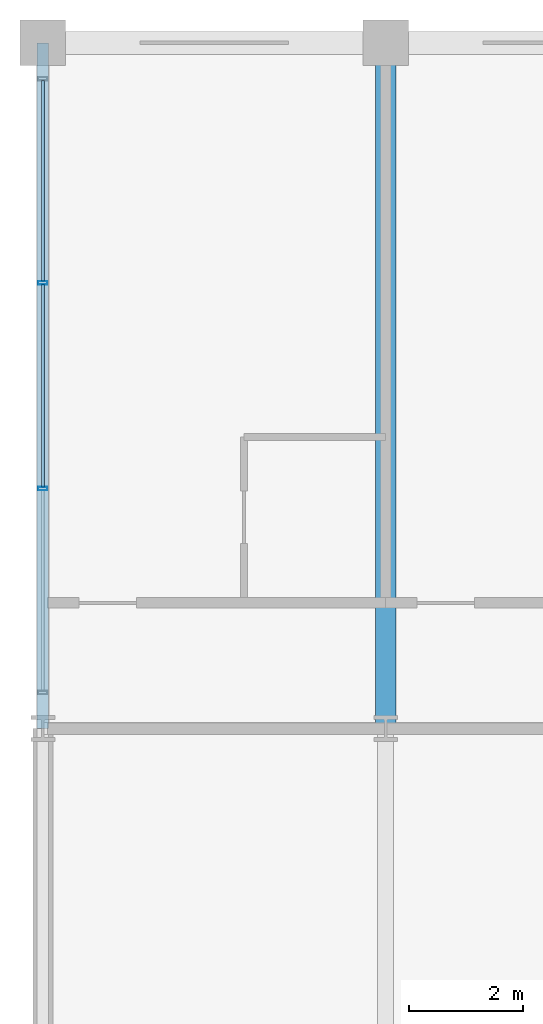
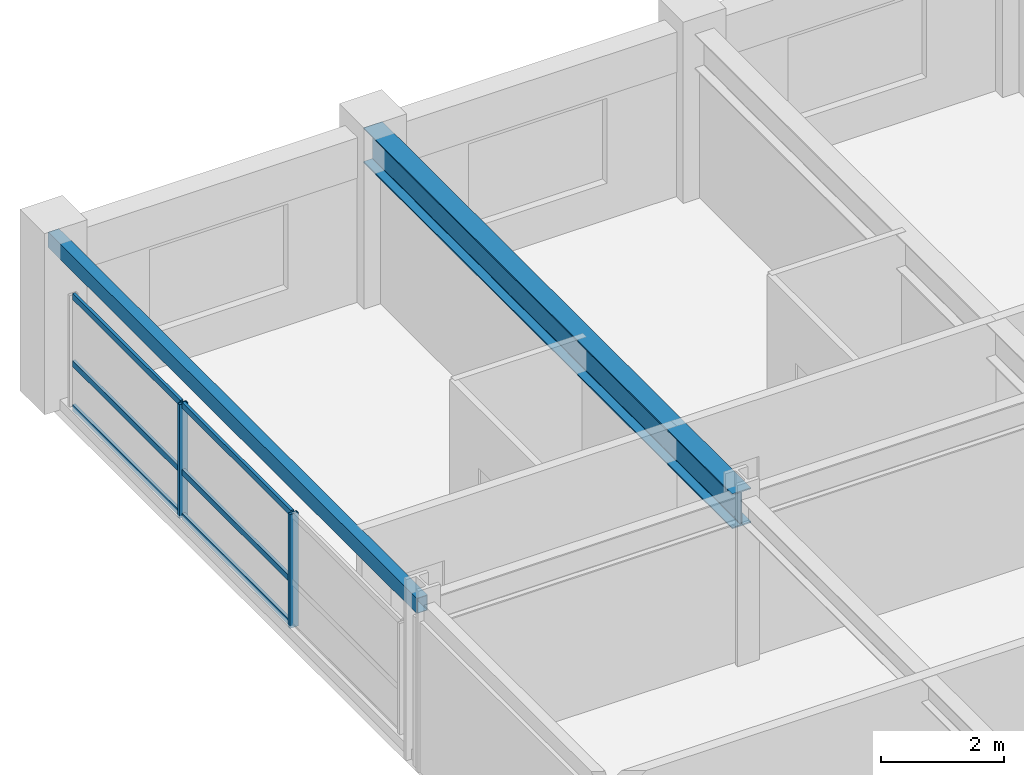
# One storey, part 8 of 26: 8 members, 2 beams, 1 element without a shape of its own.
"""IFC4 building model written with IfcOpenShell, lengths in metres."""

from ifc_helpers import new_model, si_unit, direction, frame, origin, origin_2d, place, context, subcontext, project, spatial, hollow_rectangle, i_section, extrude, material, material_profile, profile_set, type_object, element, aggregate, save


model = new_model("IFC4")

# Units and contexts
model_context = context("Model", 3, precision=1e-05, world=origin(), true_north=direction((0.0, 1.0)))
body_context = subcontext(model_context, "Body", "Model", "MODEL_VIEW")
ifc_project = project(units=[si_unit("LENGTHUNIT", "METRE"), si_unit("AREAUNIT", "SQUARE_METRE"), si_unit("VOLUMEUNIT", "CUBIC_METRE"), si_unit("PLANEANGLEUNIT", "RADIAN"), si_unit("MASSUNIT", "GRAM", prefix="KILO")], contexts=[model_context])

# Site, building, storey
site_placement = place(None, origin())
site = spatial("IfcSite", under=ifc_project, at=site_placement, CompositionType="ELEMENT")
building_placement = place(site_placement, origin())
building = spatial("IfcBuilding", under=site, at=building_placement, Name="Kaldorvane Square Convention Centre", CompositionType="ELEMENT")
storey_placement = place(building_placement, frame((0.0, 0.0, 42.0)))
storey = spatial("IfcBuildingStorey", under=building, at=storey_placement, Name="L09", CompositionType="ELEMENT", Elevation=42.0)

# Beams
ifc_material_1 = material(Name="Steel ASTM A992 Gr. 50", Category="steel")
ifc_material_profile_1 = material_profile(ifc_material_1, i_section(OverallWidth=0.354705810546875, OverallDepth=0.69549560546875, WebThickness=0.0153961181640625, FlangeThickness=0.0251007080078125, FilletRadius=0.01519775390625, at=origin_2d()), Name="W27X146")
ifc_profile_set_1 = profile_set([ifc_material_profile_1], Name="Steel ASTM A992 Gr. 50")
beam_type_1 = type_object("IfcBeamType", Name="BM-GR-W27X146", PredefinedType="BEAM", material=ifc_profile_set_1)
beam_1_placement = place(storey_placement, frame((30.0, 105.0, 2.93829345703125), z_axis=(0.0, 1.0, 0.0), x_axis=(-1.0, 0.0, 0.0)))
element("IfcBeam", 1, at=beam_1_placement, inside=storey, type_object=beam_type_1, Name="Transverse Girder (L09)", PredefinedType="BEAM", context=body_context, shape_type="SweptSolid", body=[
    extrude(i_section(OverallWidth=0.354705810546875, OverallDepth=0.69549560546875, WebThickness=0.0153961181640625, FlangeThickness=0.0251007080078125, FilletRadius=0.01519775390625, at=origin_2d()), origin(), (0.0, 0.0, 1.0), 12.0),
])
ifc_material_2 = material(Name="Steel ASTM A500 Gr. C", Category="steel")
ifc_material_profile_2 = material_profile(ifc_material_2, hollow_rectangle(XDim=0.2032012939453125, YDim=0.3047943115234375, WallThickness=0.0088958740234375, at=origin_2d()), Name="HSS12X8X3/8")
ifc_profile_set_2 = profile_set([ifc_material_profile_2], Name="Steel ASTM A500 Gr. C")
beam_type_2 = type_object("IfcBeamType", Name="BM-SP-HSS12", PredefinedType="SPANDREL", material=ifc_profile_set_2)
beam_2_placement = place(storey_placement, frame((24.0, 105.0, 3.13360595703125), z_axis=(0.0, 1.0, 0.0), x_axis=(-1.0, 0.0, 0.0)))
element("IfcBeam", 2, at=beam_2_placement, inside=storey, type_object=beam_type_2, Name="End Spandrel (L09)", PredefinedType="SPANDREL", context=body_context, shape_type="SweptSolid", body=[
    extrude(hollow_rectangle(XDim=0.2032012939453125, YDim=0.3047943115234375, WallThickness=0.0088958740234375, at=origin_2d()), origin(), (0.0, 0.0, 1.0), 12.0),
])

# Curtain wall, members
ifc_material_3 = material(Name="Anodized Aluminum and Low-E Insulated Glazing", Category="aluminium")
curtain_wall_type = type_object("IfcCurtainWallType", Name="CW-UNI-HTL-B", PredefinedType="USERDEFINED", material=ifc_material_3)
curtain_wall_placement = place(storey_placement, origin())
curtain_wall = element("IfcCurtainWall", 3, at=curtain_wall_placement, inside=storey, type_object=curtain_wall_type, Name="Curtain Wall CW-11 (L09)", ObjectType="UNITISED GLAZING", PredefinedType="USERDEFINED")
ifc_material_profile_3 = material_profile(ifc_material_3, hollow_rectangle(XDim=0.05999755859375, YDim=0.160003662109375, WallThickness=0.003204345703125, at=origin_2d()), Name="CWM-160X60")
ifc_profile_set_3 = profile_set([ifc_material_profile_3], Name="Anodized Aluminum and Low-E Insulated Glazing")
member_type_1 = type_object("IfcMemberType", Name="CW-MUL-160", PredefinedType="MULLION", material=ifc_profile_set_3)
member_1_placement = place(storey_placement, frame((24.0, 112.80000305175781, 0.149993896484375), z_axis=(0.0, 0.0, 1.0), x_axis=(0.0, -1.0, 0.0)))
member_1 = element("IfcMember", 4, at=member_1_placement, type_object=member_type_1, Name="CW-11 mullion 2", PredefinedType="MULLION", context=body_context, shape_type="SweptSolid", body=[
    extrude(hollow_rectangle(XDim=0.05999755859375, YDim=0.160003662109375, WallThickness=0.003204345703125, at=origin_2d()), origin(), (0.0, 0.0, 1.0), 2.260009765625),
])
member_2_placement = place(storey_placement, frame((24.0, 109.19999694824219, 0.149993896484375), z_axis=(0.0, 0.0, 1.0), x_axis=(0.0, -1.0, 0.0)))
member_2 = element("IfcMember", 5, at=member_2_placement, type_object=member_type_1, Name="CW-11 mullion 3", PredefinedType="MULLION", context=body_context, shape_type="SweptSolid", body=[
    extrude(hollow_rectangle(XDim=0.05999755859375, YDim=0.160003662109375, WallThickness=0.003204345703125, at=origin_2d()), origin(), (0.0, 0.0, 1.0), 2.260009765625),
])
ifc_material_profile_4 = material_profile(ifc_material_3, hollow_rectangle(XDim=0.05499267578125, YDim=0.1199951171875, WallThickness=0.0030059814453125, at=origin_2d()), Name="CWT-120X55")
ifc_profile_set_4 = profile_set([ifc_material_profile_4], Name="Anodized Aluminum and Low-E Insulated Glazing")
member_type_2 = type_object("IfcMemberType", Name="CW-TRN-120", PredefinedType="USERDEFINED", material=ifc_profile_set_4)
member_3_placement = place(storey_placement, frame((24.0, 116.33999633789062, 0.1775054931640625), z_axis=(0.0, -1.0, 0.0), x_axis=(1.0, 0.0, 0.0)))
member_3 = element("IfcMember", 6, at=member_3_placement, type_object=member_type_2, Name="CW-11 transom 1.1", ObjectType="TRANSOM", PredefinedType="USERDEFINED", context=body_context, shape_type="SweptSolid", body=[
    extrude(hollow_rectangle(XDim=0.05499267578125, YDim=0.1199951171875, WallThickness=0.0030059814453125, at=origin_2d()), origin(), (0.0, 0.0, 1.0), 3.5099945068359375),
])
member_4_placement = place(storey_placement, frame((24.0, 116.33999633789062, 1.0500030517578125), z_axis=(0.0, -1.0, 0.0), x_axis=(1.0, 0.0, 0.0)))
member_4 = element("IfcMember", 7, at=member_4_placement, type_object=member_type_2, Name="CW-11 transom 1.2", ObjectType="TRANSOM", PredefinedType="USERDEFINED", context=body_context, shape_type="SweptSolid", body=[
    extrude(hollow_rectangle(XDim=0.05499267578125, YDim=0.1199951171875, WallThickness=0.0030059814453125, at=origin_2d()), origin(), (0.0, 0.0, 1.0), 3.5099945068359375),
])
member_5_placement = place(storey_placement, frame((24.0, 116.33999633789062, 2.38250732421875), z_axis=(0.0, -1.0, 0.0), x_axis=(1.0, 0.0, 0.0)))
member_5 = element("IfcMember", 8, at=member_5_placement, type_object=member_type_2, Name="CW-11 transom 1.3", ObjectType="TRANSOM", PredefinedType="USERDEFINED", context=body_context, shape_type="SweptSolid", body=[
    extrude(hollow_rectangle(XDim=0.05499267578125, YDim=0.1199951171875, WallThickness=0.0030059814453125, at=origin_2d()), origin(), (0.0, 0.0, 1.0), 3.5099945068359375),
])
member_6_placement = place(storey_placement, frame((24.0, 112.77000427246094, 0.1775054931640625), z_axis=(0.0, -1.0, 0.0), x_axis=(1.0, 0.0, 0.0)))
member_6 = element("IfcMember", 9, at=member_6_placement, type_object=member_type_2, Name="CW-11 transom 2.1", ObjectType="TRANSOM", PredefinedType="USERDEFINED", context=body_context, shape_type="SweptSolid", body=[
    extrude(hollow_rectangle(XDim=0.05499267578125, YDim=0.1199951171875, WallThickness=0.0030059814453125, at=origin_2d()), origin(), (0.0, 0.0, 1.0), 3.540008544921875),
])
member_7_placement = place(storey_placement, frame((24.0, 112.77000427246094, 1.0500030517578125), z_axis=(0.0, -1.0, 0.0), x_axis=(1.0, 0.0, 0.0)))
member_7 = element("IfcMember", 10, at=member_7_placement, type_object=member_type_2, Name="CW-11 transom 2.2", ObjectType="TRANSOM", PredefinedType="USERDEFINED", context=body_context, shape_type="SweptSolid", body=[
    extrude(hollow_rectangle(XDim=0.05499267578125, YDim=0.1199951171875, WallThickness=0.0030059814453125, at=origin_2d()), origin(), (0.0, 0.0, 1.0), 3.540008544921875),
])
member_8_placement = place(storey_placement, frame((24.0, 112.77000427246094, 2.38250732421875), z_axis=(0.0, -1.0, 0.0), x_axis=(1.0, 0.0, 0.0)))
member_8 = element("IfcMember", 11, at=member_8_placement, type_object=member_type_2, Name="CW-11 transom 2.3", ObjectType="TRANSOM", PredefinedType="USERDEFINED", context=body_context, shape_type="SweptSolid", body=[
    extrude(hollow_rectangle(XDim=0.05499267578125, YDim=0.1199951171875, WallThickness=0.0030059814453125, at=origin_2d()), origin(), (0.0, 0.0, 1.0), 3.540008544921875),
])
aggregate(curtain_wall, [member_1, member_2, member_3, member_4, member_5, member_6, member_7, member_8])

save(model, "model.ifc")
